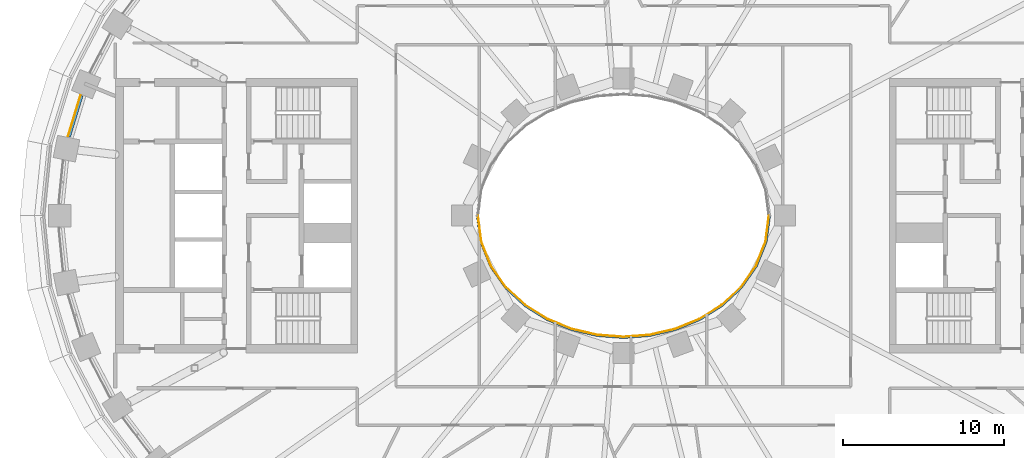
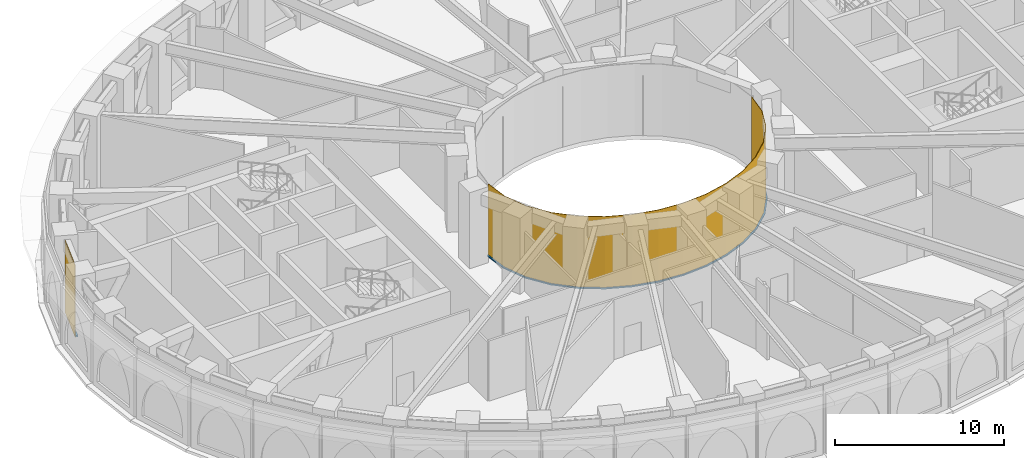
# One storey, part 15 of 25: 2 curtain walls, 2 members.
"""IFC4 building model written with IfcOpenShell, lengths in metres."""

import ifcopenshell
import ifcopenshell.guid

model = None  # the IFC model being written
_history = None  # IfcOwnerHistory: only IFC2X3 demands one
_inside = {}  # id of a spatial element -> (the spatial element, [elements in it])
_under = {}  # id of a project, library or spatial element -> (it, [spatial elements below it])
_declared = {}  # id of a project -> (the project, [libraries it declares])
_typed = {}  # id of a type object -> (the type object, [elements of that type])
_made_of = {}  # id of a material, layer set ... -> (it, [elements and type objects made of it])


def new_model(schema):
    """Start an empty IFC model of exactly this schema.

    Asked for "IFC4X3", IfcOpenShell would pick the latest addendum, in which some entities
    have other attributes; the version numbers below select the first issue.
    IFC2X3 requires an IfcOwnerHistory on every rooted entity: one is made here for all.
    """
    global model, _history
    if schema == "IFC4X3":
        model = ifcopenshell.file(schema_version=(4, 3, 0, 0))
    else:
        model = ifcopenshell.file(schema=schema)
    _inside.clear()
    _under.clear()
    _declared.clear()
    _typed.clear()
    _made_of.clear()
    _history = None
    if model.schema == "IFC2X3":
        org = make("IfcOrganization", Name="unknown")
        user = make(
            "IfcPersonAndOrganization",
            ThePerson=make("IfcPerson", FamilyName="unknown"),
            TheOrganization=org,
        )
        app = make(
            "IfcApplication",
            ApplicationDeveloper=org,
            Version="unknown",
            ApplicationFullName="unknown",
            ApplicationIdentifier="unknown",
        )
        _history = make(
            "IfcOwnerHistory",
            OwningUser=user,
            OwningApplication=app,
            ChangeAction="ADDED",
            CreationDate=0,
        )
    return model


def make(cls, **values):
    """One entity of the class cls with the attributes given. An attribute that is None is left unset."""
    return model.create_entity(
        cls, **{name: value for name, value in values.items() if value is not None}
    )


def rooted(cls, **values):
    """An entity with a GlobalId (a new one), such as an element, a storey or a relation."""
    return make(cls, GlobalId=ifcopenshell.guid.new(), OwnerHistory=_history, **values)


def si_unit(unit_type, name, prefix=None):
    """IfcSIUnit, for example si_unit("LENGTHUNIT", "METRE", prefix="MILLI")."""
    return make("IfcSIUnit", UnitType=unit_type, Prefix=prefix, Name=name)


def assignment(units):
    """IfcUnitAssignment: the units of a project."""
    return None if units is None else make("IfcUnitAssignment", Units=units)


def point(xyz):
    """IfcCartesianPoint."""
    return None if xyz is None else make("IfcCartesianPoint", Coordinates=xyz)


def direction(xyz):
    """IfcDirection."""
    return None if xyz is None else make("IfcDirection", DirectionRatios=xyz)


def frame(location, z_axis=None, x_axis=None):
    """IfcAxis2Placement3D, a coordinate frame: its origin and axes. An axis left out is left unset."""
    return make(
        "IfcAxis2Placement3D",
        Location=point(location),
        Axis=direction(z_axis),
        RefDirection=direction(x_axis),
    )


def origin():
    """The frame at (0, 0, 0) with its axes left unset."""
    return frame((0.0, 0.0, 0.0))


def place(relative_to, where):
    """IfcLocalPlacement: puts the frame where relative to a parent placement (None: the world)."""
    return make(
        "IfcLocalPlacement", PlacementRelTo=relative_to, RelativePlacement=where
    )


def context(
    kind, dimensions, precision=None, world=None, true_north=None, identifier=None
):
    """IfcGeometricRepresentationContext, for example the 3D "Model" context."""
    return make(
        "IfcGeometricRepresentationContext",
        ContextIdentifier=identifier,
        ContextType=kind,
        CoordinateSpaceDimension=dimensions,
        Precision=precision,
        WorldCoordinateSystem=world,
        TrueNorth=true_north,
    )


def subcontext(parent, identifier, kind, view, scale=None):
    """IfcGeometricRepresentationSubContext, for example "Body" below "Model"."""
    return make(
        "IfcGeometricRepresentationSubContext",
        ContextIdentifier=identifier,
        ContextType=kind,
        ParentContext=parent,
        TargetScale=scale,
        TargetView=view,
    )


def project(units=None, contexts=None):
    """IfcProject with its units and contexts."""
    return rooted(
        "IfcProject",
        Name="project",
        RepresentationContexts=contexts,
        UnitsInContext=assignment(units),
    )


def spatial(cls, under=None, at=None, **own):
    """A site, building, storey or space (cls), placed at a placement, below another one or the project."""
    s = rooted(cls, ObjectPlacement=at, **own)
    if under is not None:
        _under.setdefault(under.id(), (under, []))[1].append(s)
    return s


def polyline(points):
    """IfcPolyline through the points."""
    return make("IfcPolyline", Points=[point(p) for p in points])


def outline(outer, holes=None, kind="AREA"):
    """IfcArbitraryClosedProfileDef: a profile drawn as a closed curve; with holes, ...WithVoids."""
    if holes is None:
        return make("IfcArbitraryClosedProfileDef", ProfileType=kind, OuterCurve=outer)
    return make(
        "IfcArbitraryProfileDefWithVoids",
        ProfileType=kind,
        OuterCurve=outer,
        InnerCurves=holes,
    )


def extrude(swept, where, along, depth):
    """IfcExtrudedAreaSolid: the profile swept, set in the frame where, extruded along a direction by depth."""
    return make(
        "IfcExtrudedAreaSolid",
        SweptArea=swept,
        Position=where,
        ExtrudedDirection=direction(along),
        Depth=depth,
    )


def shape(context_of_items, identifier, shape_type, items):
    """IfcShapeRepresentation: the items that make up one representation, for example the "Body"."""
    return make(
        "IfcShapeRepresentation",
        ContextOfItems=context_of_items,
        RepresentationIdentifier=identifier,
        RepresentationType=shape_type,
        Items=items,
    )


def material(Name=None, Category=None):
    """IfcMaterial."""
    return make("IfcMaterial", Name=Name, Category=Category)


def layer(
    of_material, thickness, ventilated=None, Name=None, Category=None, Priority=None
):
    """IfcMaterialLayer: one layer of a wall or slab, of a material (None: an air gap)."""
    return make(
        "IfcMaterialLayer",
        Material=of_material,
        LayerThickness=thickness,
        IsVentilated=ventilated,
        Name=Name,
        Category=Category,
        Priority=Priority,
    )


def layer_set(layers, Name=None):
    """IfcMaterialLayerSet."""
    return make("IfcMaterialLayerSet", MaterialLayers=layers, LayerSetName=Name)


def made_of(thing, what):
    """Note that an element or type object is made of a material, layer set ...; save() writes the relation."""
    if what is not None:
        _made_of.setdefault(what.id(), (what, []))[1].append(thing)
    return thing


def type_object(cls, material=None, **own):
    """A type object (cls), such as IfcWallType, which elements share."""
    return made_of(rooted(cls, **own), material)


def element(
    cls,
    number,
    at=None,
    inside=None,
    cuts=None,
    type_object=None,
    material=None,
    context=None,
    identifier="Body",
    shape_type=None,
    held_by="IfcProductDefinitionShape",
    body=None,
    shapes=None,
    **own,
):
    """One element of the class cls, such as IfcWall. Its Tag is "e" and its number.

    at: its placement. inside: the storey or other place that contains it. cuts: it is an
    opening in that element (IfcRelVoidsElement). A single representation is given by context,
    identifier, shape_type and body (its items); several are given by shapes. held_by: the class
    of the entity that holds the representations. save() writes the other relations.
    """
    e = rooted(cls, Tag="e%d" % number, ObjectPlacement=at, **own)
    if body is not None:
        shapes = [shape(context, identifier, shape_type, body)]
    if shapes is not None:
        e.Representation = make(held_by, Representations=shapes)
    if inside is not None:
        _inside.setdefault(inside.id(), (inside, []))[1].append(e)
    if cuts is not None:
        rooted(
            "IfcRelVoidsElement", RelatingBuildingElement=cuts, RelatedOpeningElement=e
        )
    if type_object is not None:
        _typed.setdefault(type_object.id(), (type_object, []))[1].append(e)
    return made_of(e, material)


def aggregate(whole, parts):
    """IfcRelAggregates: a whole, such as a stair, and the parts it consists of."""
    return rooted("IfcRelAggregates", RelatingObject=whole, RelatedObjects=parts)


def save(model, path):
    """Write the relations noted so far, then the file.

    IfcRelAggregates (storeys below a building ...), IfcRelContainedInSpatialStructure (elements
    in a storey), IfcRelDefinesByType, IfcRelAssociatesMaterial and IfcRelDeclares: one each for
    every whole, place, type object, material and project.
    """
    for whole, parts in _under.values():
        aggregate(whole, parts)
    for where, things in _inside.values():
        rooted(
            "IfcRelContainedInSpatialStructure",
            RelatedElements=things,
            RelatingStructure=where,
        )
    for kind, things in _typed.values():
        rooted("IfcRelDefinesByType", RelatedObjects=things, RelatingType=kind)
    for what, things in _made_of.values():
        rooted("IfcRelAssociatesMaterial", RelatedObjects=things, RelatingMaterial=what)
    for by, libraries in _declared.values():
        rooted("IfcRelDeclares", RelatingContext=by, RelatedDefinitions=libraries)
    model.write(path)


model = new_model("IFC4")

# Units and contexts
model_context = context("Model", 3, precision=1e-05, world=origin(), true_north=direction((0.0, 1.0)))
body_context = subcontext(model_context, "Body", "Model", "MODEL_VIEW")
ifc_project = project(units=[si_unit("LENGTHUNIT", "METRE"), si_unit("AREAUNIT", "SQUARE_METRE"), si_unit("VOLUMEUNIT", "CUBIC_METRE"), si_unit("PLANEANGLEUNIT", "RADIAN"), si_unit("MASSUNIT", "GRAM", prefix="KILO")], contexts=[model_context])

# Member
ifc_material_1 = material(Name="Aluminium 6063-T6 black anodised", Category="aluminium")
member_type_1 = type_object("IfcMemberType", Name="ENV-TRANSOM-B", PredefinedType="USERDEFINED", material=ifc_material_1)
site_placement = place(None, origin())
building_placement = place(site_placement, origin())
storey_placement = place(building_placement, frame((0.0, 0.0, 82.5)))
member_1_placement = place(storey_placement, origin())
member_1 = element("IfcMember", 1, at=member_1_placement, type_object=member_type_1, Name="Transom B radial 22-23", ObjectType="TRANSOM", PredefinedType="USERDEFINED", context=body_context, shape_type="SweptSolid", body=[
    extrude(outline(polyline([(-33.63720703125, 7.466064453125), (-34.41943359375, 4.906005859375), (-34.271728515625, 4.876220703125), (-33.497802734375, 7.408935546875), (-33.63720703125, 7.466064453125)])), origin(), (0.0, 0.0, 1.0), 0.1201171875),
])

ifc_material_2 = material(Name="Steel S355 fire-resisting frame", Category="steel")
member_type_2 = type_object("IfcMemberType", Name="ENV-TRANSOM-W", PredefinedType="USERDEFINED", material=ifc_material_2)
member_2_placement = place(storey_placement, origin())
member_2 = element("IfcMember", 2, at=member_2_placement, type_object=member_type_2, Name="Transom W well 17-01", ObjectType="TRANSOM", PredefinedType="USERDEFINED", context=body_context, shape_type="SweptSolid", body=[
    extrude(outline(polyline([(-9.119384765625, -0.02783203125), (-8.910400390625, -1.63623046875), (-8.29833984375, -3.167236328125), (-7.35107421875, -4.5146484375), (-6.1455078125, -5.6337890625), (-4.75341796875, -6.50634765625), (-3.233642578125, -7.127685546875), (-1.635498046875, -7.498779296875), (0.0, -7.622314453125), (1.635498046875, -7.498779296875), (3.233642578125, -7.127685546875), (4.75341796875, -6.50634765625), (6.1455078125, -5.6337890625), (7.35107421875, -4.5146484375), (8.29833984375, -3.167236328125), (8.910400390625, -1.63623046875), (9.119384765625, -0.02783203125), (9.02880859375, -0.02783203125), (8.822509765625, -1.61328125), (8.21875, -3.124267578125), (7.282958984375, -4.455078125), (6.090576171875, -5.56201171875), (4.712158203125, -6.426025390625), (3.206298828125, -7.04150390625), (1.621826171875, -7.40966796875), (0.0, -7.531982421875), (-1.621826171875, -7.40966796875), (-3.206298828125, -7.04150390625), (-4.712158203125, -6.426025390625), (-6.090576171875, -5.56201171875), (-7.282958984375, -4.455078125), (-8.21875, -3.124267578125), (-8.822509765625, -1.61328125), (-9.02880859375, -0.02783203125), (-9.119384765625, -0.02783203125)])), origin(), (0.0, 0.0, 1.0), 0.080078125),
])

# Site, building, storey
site = spatial("IfcSite", under=ifc_project, at=site_placement, CompositionType="ELEMENT")
building = spatial("IfcBuilding", under=site, at=building_placement, Name="Noorbagh Ring Tower", CompositionType="ELEMENT")
storey = spatial("IfcBuildingStorey", under=building, at=storey_placement, Name="L18", CompositionType="ELEMENT", Elevation=82.5)

# Curtain wall
ifc_material_3 = material(Name="Glass dark tinted laminated", Category="glass")
ifc_layer_1 = layer(ifc_material_3, 0.031982421875)
ifc_layer_set_1 = layer_set([ifc_layer_1], Name="Glass dark tinted laminated")
curtain_wall_type_1 = type_object("IfcCurtainWallType", Name="ENV-CW-B", PredefinedType="NOTDEFINED", material=ifc_layer_set_1)
curtain_wall_1_placement = place(storey_placement, origin())
curtain_wall_1 = element("IfcCurtainWall", 3, at=curtain_wall_1_placement, inside=storey, type_object=curtain_wall_type_1, Name="Curtain wall B R22", PredefinedType="NOTDEFINED", context=body_context, shape_type="SweptSolid", body=[
    extrude(outline(polyline([(-33.6669921875, 7.478271484375), (-34.450927734375, 4.912109375), (-34.41943359375, 4.906005859375), (-33.63720703125, 7.466064453125), (-33.6669921875, 7.478271484375)])), origin(), (0.0, 0.0, 1.0), 5.199951171875),
])

aggregate(curtain_wall_1, [member_1])

ifc_material_4 = material(Name="Glass fire-resisting E60 laminated", Category="glass")
ifc_layer_2 = layer(ifc_material_4, 0.031982421875)
ifc_layer_set_2 = layer_set([ifc_layer_2], Name="Glass fire-resisting E60 laminated")
curtain_wall_type_2 = type_object("IfcCurtainWallType", Name="ENV-CW-W", PredefinedType="NOTDEFINED", material=ifc_layer_set_2)
curtain_wall_2_placement = place(storey_placement, origin())
curtain_wall_2 = element("IfcCurtainWall", 4, at=curtain_wall_2_placement, inside=storey, type_object=curtain_wall_type_2, Name="Curtain wall W W17", PredefinedType="NOTDEFINED", context=body_context, shape_type="SweptSolid", body=[
    extrude(outline(polyline([(-9.0322265625, 0.0), (-8.822509765625, -1.61328125), (-8.21875, -3.124267578125), (-7.282958984375, -4.455078125), (-6.090576171875, -5.56201171875), (-4.712158203125, -6.426025390625), (-3.206298828125, -7.04150390625), (-1.621826171875, -7.40966796875), (0.0, -7.531982421875), (1.621826171875, -7.40966796875), (3.206298828125, -7.04150390625), (4.712158203125, -6.426025390625), (6.090576171875, -5.56201171875), (7.282958984375, -4.455078125), (8.21875, -3.124267578125), (8.822509765625, -1.61328125), (9.0322265625, 0.0), (9.0, 0.0), (8.79150390625, -1.605224609375), (8.1904296875, -3.10888671875), (7.2587890625, -4.43408203125), (6.071044921875, -5.53662109375), (4.697509765625, -6.3974609375), (3.196533203125, -7.010986328125), (1.6171875, -7.3779296875), (0.0, -7.5), (-1.6171875, -7.3779296875), (-3.196533203125, -7.010986328125), (-4.697509765625, -6.3974609375), (-6.071044921875, -5.53662109375), (-7.2587890625, -4.43408203125), (-8.1904296875, -3.10888671875), (-8.79150390625, -1.605224609375), (-9.0, 0.0), (-9.0322265625, 0.0)])), origin(), (0.0, 0.0, 1.0), 5.199951171875),
])

aggregate(curtain_wall_2, [member_2])

save(model, "model.ifc")
